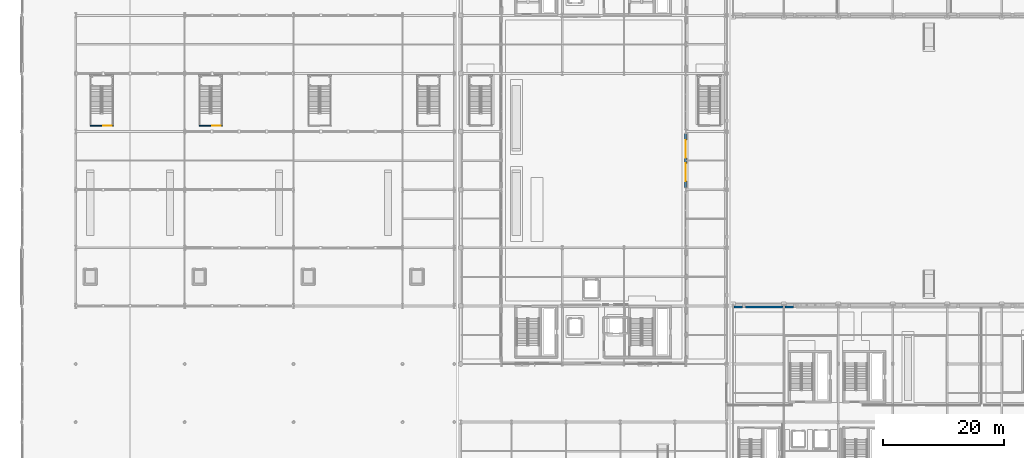
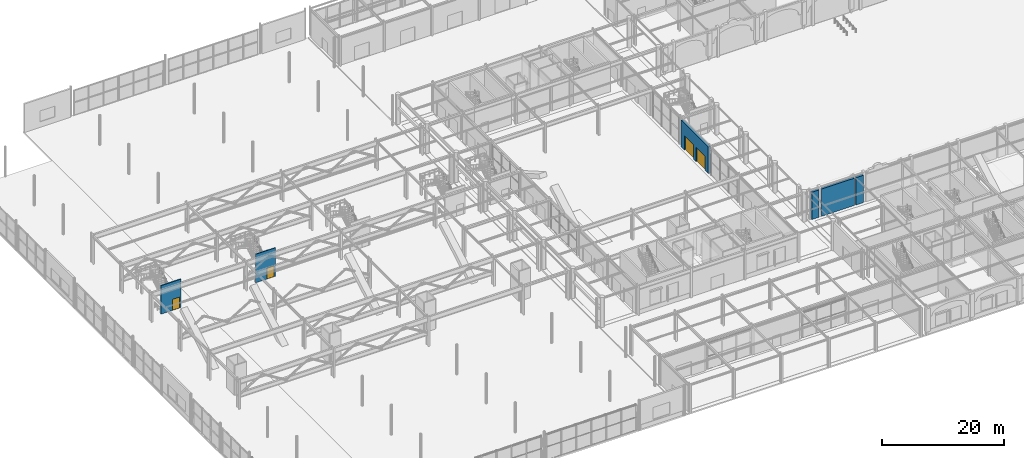
# One storey, part 61 of 113: 6 walls, 4 doors, 4 openings.
"""IFC4 building model written with IfcOpenShell, lengths in metres."""

from ifc_helpers import new_model, si_unit, direction, frame, frame_2d, origin, place, context, subcontext, project, spatial, rectangle, extrude, material, layer, layer_set, type_object, element, fill, save


model = new_model("IFC4")

# Units and contexts
model_context = context("Model", 3, precision=1e-05, world=origin(), true_north=direction((0.0, 1.0)))
body_context = subcontext(model_context, "Body", "Model", "MODEL_VIEW")
ifc_project = project(units=[si_unit("LENGTHUNIT", "METRE"), si_unit("AREAUNIT", "SQUARE_METRE"), si_unit("VOLUMEUNIT", "CUBIC_METRE"), si_unit("PLANEANGLEUNIT", "RADIAN"), si_unit("MASSUNIT", "GRAM", prefix="KILO")], contexts=[model_context])

# Site, building, storey
site_placement = place(None, origin())
site = spatial("IfcSite", under=ifc_project, at=site_placement, CompositionType="ELEMENT")
building_placement = place(site_placement, origin())
building = spatial("IfcBuilding", under=site, at=building_placement, Name="Myrtia Square Station", CompositionType="ELEMENT")
storey_placement = place(building_placement, origin())
storey = spatial("IfcBuildingStorey", under=building, at=storey_placement, Name="L00", CompositionType="ELEMENT", Elevation=0.0)

# Walls
ifc_material_1 = material(Name="Pentelic marble ashlar", Category="masonry")
ifc_layer_1 = layer(ifc_material_1, 0.3798828125, Name="Pentelic marble ashlar")
ifc_layer_set_1 = layer_set([ifc_layer_1], Name="Pentelic marble ashlar")
wall_type_1 = type_object("IfcWallType", Name="WL-EXT-ASHLAR-380", PredefinedType="SOLIDWALL", material=ifc_layer_set_1)
wall_1_placement = place(storey_placement, frame((117.7548828125, 38.199951171875, 0.0), z_axis=(0.0, 0.0, 1.0), x_axis=(1.0, 0.0, 0.0)))
element("IfcWall", 1, at=wall_1_placement, inside=storey, type_object=wall_type_1, Name="Exterior envelope wall EW-L00-0025", PredefinedType="SOLIDWALL", context=body_context, shape_type="SweptSolid", body=[
    extrude(rectangle(XDim=1.4150390625, YDim=0.3798828125, at=frame_2d((0.70751953125, 0.0))), origin(), (0.0, 0.0, 1.0), 5.489990234375),
])
wall_2_placement = place(storey_placement, frame((119.6298828125, 38.199951171875, 0.0), z_axis=(0.0, 0.0, 1.0), x_axis=(1.0, 0.0, 0.0)))
element("IfcWall", 2, at=wall_2_placement, inside=storey, type_object=wall_type_1, Name="Exterior envelope wall EW-L00-0026", PredefinedType="SOLIDWALL", context=body_context, shape_type="SweptSolid", body=[
    extrude(rectangle(XDim=6.215087890625, YDim=0.3798828125, at=frame_2d((3.107421875, 0.0))), origin(), (0.0, 0.0, 1.0), 5.489990234375),
])
wall_3_placement = place(storey_placement, frame((126.155029296875, 38.199951171875, 0.0), z_axis=(0.0, 0.0, 1.0), x_axis=(1.0, 0.0, 0.0)))
element("IfcWall", 3, at=wall_3_placement, inside=storey, type_object=wall_type_1, Name="Exterior envelope wall EW-L00-0027", PredefinedType="SOLIDWALL", context=body_context, shape_type="SweptSolid", body=[
    extrude(rectangle(XDim=1.4150390625, YDim=0.3798828125, at=frame_2d((0.70751953125, 0.0))), origin(), (0.0, 0.0, 1.0), 5.489990234375),
])

# Wall, openings, doors
ifc_layer_2 = layer(ifc_material_1, 0.419921875, Name="Pentelic marble ashlar")
ifc_layer_set_2 = layer_set([ifc_layer_2], Name="Pentelic marble ashlar")
wall_type_2 = type_object("IfcWallType", Name="WL-EXT-ASHLAR-420", PredefinedType="SOLIDWALL", material=ifc_layer_set_2)
wall_4_placement = place(storey_placement, frame((109.800048828125, 57.955078125, 0.0), z_axis=(0.0, 0.0, 1.0), x_axis=(0.0, 1.0, 0.0)))
wall_4 = element("IfcWall", 4, at=wall_4_placement, inside=storey, type_object=wall_type_2, Name="Exterior envelope wall EW-L00-0006", PredefinedType="SOLIDWALL", context=body_context, shape_type="SweptSolid", body=[
    extrude(rectangle(XDim=8.889892578125, YDim=0.419921875, at=frame_2d((4.44482421875, 0.0))), origin(), (0.0, 0.0, 1.0), 5.360107421875),
])
opening_1_placement = place(wall_4_placement, frame((1.044921875, 0.0, 0.0)))
opening_1 = element("IfcOpeningElement", 5, at=opening_1_placement, cuts=wall_4, Name="Opening ED-011", PredefinedType="OPENING", context=body_context, shape_type="SweptSolid", body=[
    extrude(rectangle(XDim=2.949951171875, YDim=2.89990234375, at=frame_2d((1.47509765625, 1.449951171875))), frame((0.0, 0.224853515625, 0.0), z_axis=(0.0, -1.0, 0.0), x_axis=(1.0, 0.0, 0.0)), (0.0, 0.0, 1.0), 0.449951171875),
])
opening_2_placement = place(wall_4_placement, frame((4.89501953125, 0.0, 0.0)))
opening_2 = element("IfcOpeningElement", 6, at=opening_2_placement, cuts=wall_4, Name="Opening ED-012", PredefinedType="OPENING", context=body_context, shape_type="SweptSolid", body=[
    extrude(rectangle(XDim=2.949951171875, YDim=2.89990234375, at=frame_2d((1.47509765625, 1.449951171875))), frame((0.0, 0.224853515625, 0.0), z_axis=(0.0, -1.0, 0.0), x_axis=(1.0, 0.0, 0.0)), (0.0, 0.0, 1.0), 0.449951171875),
])
ifc_material_2 = material(Name="Dark bronze anodised aluminium", Category="aluminium")
door_type_1 = type_object("IfcDoorType", Name="DR-MAIN-2950x2900", OperationType="NOTDEFINED", PredefinedType="DOOR", material=ifc_material_2)
door_1_placement = place(opening_1_placement, frame((2.949951171875, 0.0, 0.0), z_axis=(0.0, 0.0, 1.0), x_axis=(-1.0, 0.0, 0.0)))
door_1 = element("IfcDoor", 7, at=door_1_placement, inside=storey, type_object=door_type_1, Name="Pedestrian exit door ED-011", OperationType="DOUBLE_DOOR_SINGLE_SWING", OverallHeight=2.89990234375, OverallWidth=2.949951171875, PredefinedType="DOOR", context=body_context, shape_type="SweptSolid", body=[
    extrude(rectangle(XDim=2.949951171875, YDim=2.89990234375, at=frame_2d((1.47509765625, 1.449951171875))), frame((0.0, 0.02490234375, 0.0), z_axis=(0.0, -1.0, 0.0), x_axis=(1.0, 0.0, 0.0)), (0.0, 0.0, 1.0), 0.050048828125),
])
fill(opening_1, door_1)
door_2_placement = place(opening_2_placement, frame((2.949951171875, 0.0, 0.0), z_axis=(0.0, 0.0, 1.0), x_axis=(-1.0, 0.0, 0.0)))
door_2 = element("IfcDoor", 8, at=door_2_placement, inside=storey, type_object=door_type_1, Name="Pedestrian exit door ED-012", OperationType="DOUBLE_DOOR_SINGLE_SWING", OverallHeight=2.89990234375, OverallWidth=2.949951171875, PredefinedType="DOOR", context=body_context, shape_type="SweptSolid", body=[
    extrude(rectangle(XDim=2.949951171875, YDim=2.89990234375, at=frame_2d((1.47509765625, 1.449951171875))), frame((0.0, 0.02490234375, 0.0), z_axis=(0.0, -1.0, 0.0), x_axis=(1.0, 0.0, 0.0)), (0.0, 0.0, 1.0), 0.050048828125),
])
fill(opening_2, door_2)

# Wall, opening, door
ifc_material_3 = material(Name="Gypsum plasterboard")
ifc_layer_3 = layer(ifc_material_3, 0.14990234375, Name="Gypsum plasterboard")
ifc_layer_set_3 = layer_set([ifc_layer_3], Name="Gypsum plasterboard")
wall_type_3 = type_object("IfcWallType", Name="WL-PART-150", PredefinedType="PARTITIONING", material=ifc_layer_set_3)
wall_5_placement = place(storey_placement, frame((11.43994140625, 68.14990234375, 0.0), z_axis=(0.0, 0.0, 1.0), x_axis=(1.0, 0.0, 0.0)))
wall_5 = element("IfcWall", 9, at=wall_5_placement, inside=storey, type_object=wall_type_3, Name="Interchange stair smoke vestibule wall 01 L00", PredefinedType="PARTITIONING", context=body_context, shape_type="SweptSolid", body=[
    extrude(rectangle(XDim=3.760009765625, YDim=0.14990234375, at=frame_2d((1.8798828125, 0.0))), origin(), (0.0, 0.0, 1.0), 5.719970703125),
])
opening_3_placement = place(wall_5_placement, frame((2.14990234375, 0.0, 0.0)))
opening_3 = element("IfcOpeningElement", 10, at=opening_3_placement, cuts=wall_5, Name="Opening SD-183", PredefinedType="OPENING", context=body_context, shape_type="SweptSolid", body=[
    extrude(rectangle(XDim=1.35009765625, YDim=2.199951171875, at=frame_2d((0.675048828125, 1.10009765625))), frame((0.0, 0.08984375, 0.0), z_axis=(0.0, -1.0, 0.0), x_axis=(1.0, 0.0, 0.0)), (0.0, 0.0, 1.0), 0.179931640625),
])
door_type_2 = type_object("IfcDoorType", Name="DR-STAIR-1350x2200", OperationType="NOTDEFINED", PredefinedType="DOOR", material=ifc_material_2)
door_3_placement = place(opening_3_placement, frame((1.35009765625, 0.0, 0.0), z_axis=(0.0, 0.0, 1.0), x_axis=(-1.0, 0.0, 0.0)))
door_3 = element("IfcDoor", 11, at=door_3_placement, inside=storey, type_object=door_type_2, Name="Interchange stair fire door 01 L00", OperationType="SINGLE_SWING_LEFT", OverallHeight=2.199951171875, OverallWidth=1.35009765625, PredefinedType="DOOR", context=body_context, shape_type="SweptSolid", body=[
    extrude(rectangle(XDim=1.35009765625, YDim=2.199951171875, at=frame_2d((0.675048828125, 1.10009765625))), frame((0.0, 0.02490234375, 0.0), z_axis=(0.0, -1.0, 0.0), x_axis=(1.0, 0.0, 0.0)), (0.0, 0.0, 1.0), 0.050048828125),
])
fill(opening_3, door_3)

wall_6_placement = place(storey_placement, frame((29.43994140625, 68.14990234375, 0.0), z_axis=(0.0, 0.0, 1.0), x_axis=(1.0, 0.0, 0.0)))
wall_6 = element("IfcWall", 12, at=wall_6_placement, inside=storey, type_object=wall_type_3, Name="Interchange stair smoke vestibule wall 02 L00", PredefinedType="PARTITIONING", context=body_context, shape_type="SweptSolid", body=[
    extrude(rectangle(XDim=3.760009765625, YDim=0.14990234375, at=frame_2d((1.8798828125, 0.0))), origin(), (0.0, 0.0, 1.0), 5.719970703125),
])
opening_4_placement = place(wall_6_placement, frame((2.14990234375, 0.0, 0.0)))
opening_4 = element("IfcOpeningElement", 13, at=opening_4_placement, cuts=wall_6, Name="Opening SD-185", PredefinedType="OPENING", context=body_context, shape_type="SweptSolid", body=[
    extrude(rectangle(XDim=1.35009765625, YDim=2.199951171875, at=frame_2d((0.675048828125, 1.10009765625))), frame((0.0, 0.08984375, 0.0), z_axis=(0.0, -1.0, 0.0), x_axis=(1.0, 0.0, 0.0)), (0.0, 0.0, 1.0), 0.179931640625),
])
door_4_placement = place(opening_4_placement, frame((1.35009765625, 0.0, 0.0), z_axis=(0.0, 0.0, 1.0), x_axis=(-1.0, 0.0, 0.0)))
door_4 = element("IfcDoor", 14, at=door_4_placement, inside=storey, type_object=door_type_2, Name="Interchange stair fire door 02 L00", OperationType="SINGLE_SWING_LEFT", OverallHeight=2.199951171875, OverallWidth=1.35009765625, PredefinedType="DOOR", context=body_context, shape_type="SweptSolid", body=[
    extrude(rectangle(XDim=1.35009765625, YDim=2.199951171875, at=frame_2d((0.675048828125, 1.10009765625))), frame((0.0, 0.02490234375, 0.0), z_axis=(0.0, -1.0, 0.0), x_axis=(1.0, 0.0, 0.0)), (0.0, 0.0, 1.0), 0.050048828125),
])
fill(opening_4, door_4)

save(model, "model.ifc")
